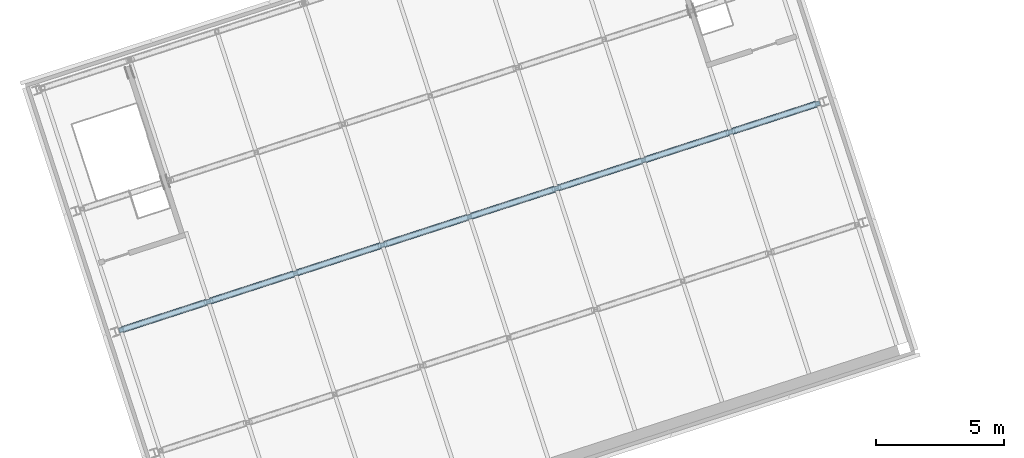
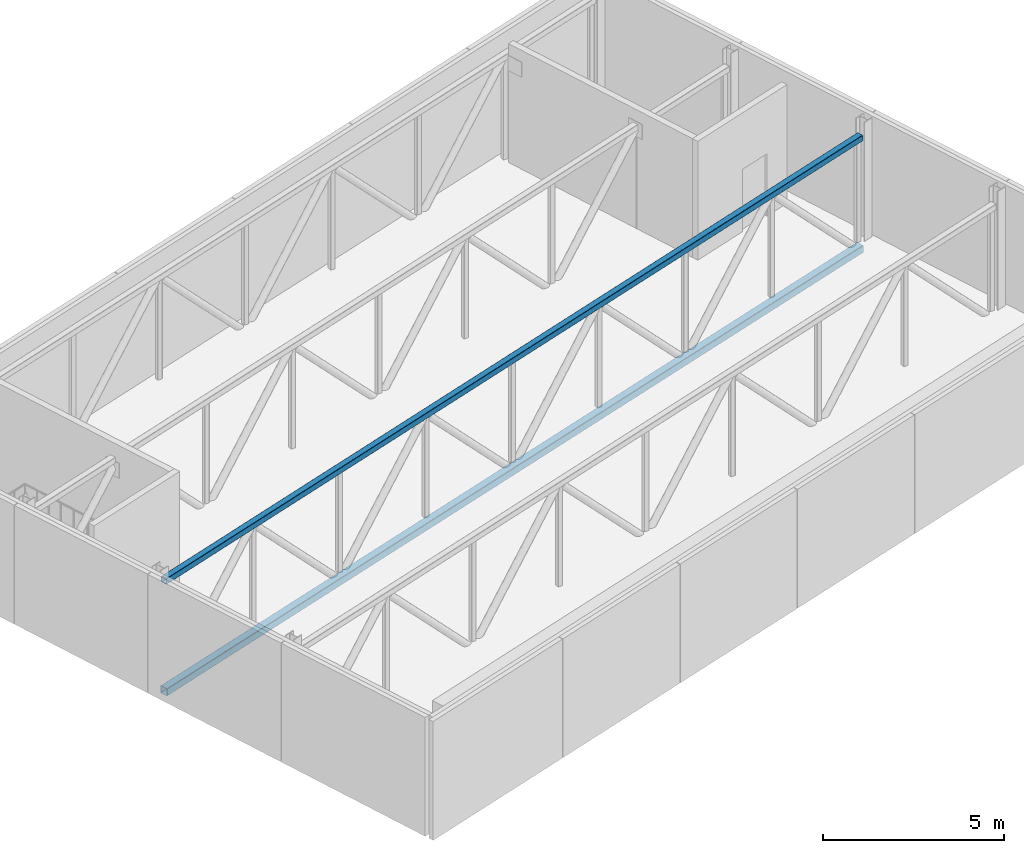
# One storey, part 6 of 52: 2 members.
"""IFC4 building model written with IfcOpenShell, lengths in metres."""

from ifc_helpers import new_model, si_unit, direction, frame, origin, origin_2d, place, context, subcontext, project, spatial, hollow_rectangle, extrude, material, material_profile, profile_set, type_object, element, save


model = new_model("IFC4")

# Units and contexts
model_context = context("Model", 3, precision=1e-05, world=origin(), true_north=direction((0.0, 1.0)))
body_context = subcontext(model_context, "Body", "Model", "MODEL_VIEW")
ifc_project = project(units=[si_unit("LENGTHUNIT", "METRE"), si_unit("AREAUNIT", "SQUARE_METRE"), si_unit("VOLUMEUNIT", "CUBIC_METRE"), si_unit("PLANEANGLEUNIT", "RADIAN"), si_unit("MASSUNIT", "GRAM", prefix="KILO")], contexts=[model_context])

# Site, building, storey
site_placement = place(None, origin())
site = spatial("IfcSite", under=ifc_project, at=site_placement, CompositionType="ELEMENT")
building_placement = place(site_placement, origin())
building = spatial("IfcBuilding", under=site, at=building_placement, Name="Tuart Plaza Theatre", CompositionType="ELEMENT")
storey_placement = place(building_placement, frame((0.0, 0.0, 25.5)))
storey = spatial("IfcBuildingStorey", under=building, at=storey_placement, Name="L06", CompositionType="ELEMENT", Elevation=25.5)

# Members
ifc_material_1 = material(Name="Steel Grade C350L0", Category="steel")
ifc_material_profile_1 = material_profile(ifc_material_1, hollow_rectangle(XDim=0.199951171875, YDim=0.199951171875, WallThickness=0.010009765625, InnerFilletRadius=0.010009765625, OuterFilletRadius=0.02001953125, at=origin_2d()), Name="200x200x10 SHS")
ifc_profile_set_1 = profile_set([ifc_material_profile_1], Name="Steel Grade C350L0")
member_type_1 = type_object("IfcMemberType", Name="MEMBER Chord 200x200x10 SHS", PredefinedType="CHORD", material=ifc_profile_set_1)
member_1_placement = place(storey_placement, frame((38.374267578125, 78.283203125, 3.447021484375), z_axis=(0.951055766824, 0.309019301002, 0.0), x_axis=(-0.309019301002, 0.951055766824, 0.0)))
element("IfcMember", 1, at=member_1_placement, inside=storey, type_object=member_type_1, Name="CH14", PredefinedType="CHORD", context=body_context, shape_type="SweptSolid", body=[
    extrude(hollow_rectangle(XDim=0.199951171875, YDim=0.199951171875, WallThickness=0.010009765625, InnerFilletRadius=0.010009765625, OuterFilletRadius=0.02001953125, at=origin_2d()), origin(), (0.0, 0.0, 1.0), 28.68896484375),
])
ifc_material_2 = material(Name="Steel Grade C350L0", Category="steel")
ifc_material_profile_2 = material_profile(ifc_material_2, hollow_rectangle(XDim=0.25, YDim=0.25, WallThickness=0.012451171875, InnerFilletRadius=0.012451171875, OuterFilletRadius=0.02490234375, at=origin_2d()), Name="250x250x12.5 SHS")
ifc_profile_set_2 = profile_set([ifc_material_profile_2], Name="Steel Grade C350L0")
member_type_2 = type_object("IfcMemberType", Name="MEMBER Chord 250x250x12.5 SHS", PredefinedType="CHORD", material=ifc_profile_set_2)
member_2_placement = place(storey_placement, frame((38.374267578125, 78.283203125, -0.27490234375), z_axis=(0.951055766824, 0.309019301002, 0.0), x_axis=(-0.309019301002, 0.951055766824, 0.0)))
element("IfcMember", 2, at=member_2_placement, inside=storey, type_object=member_type_2, Name="CH13", PredefinedType="CHORD", context=body_context, shape_type="SweptSolid", body=[
    extrude(hollow_rectangle(XDim=0.25, YDim=0.25, WallThickness=0.012451171875, InnerFilletRadius=0.012451171875, OuterFilletRadius=0.02490234375, at=origin_2d()), origin(), (0.0, 0.0, 1.0), 28.68896484375),
])

save(model, "model.ifc")
